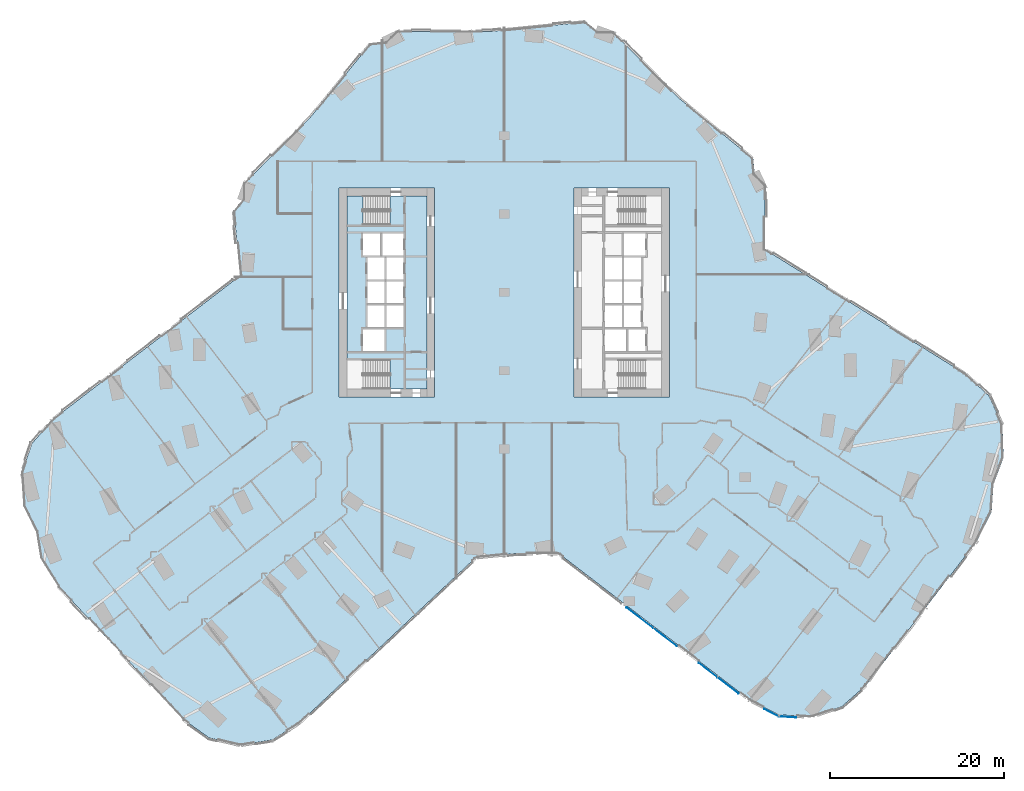
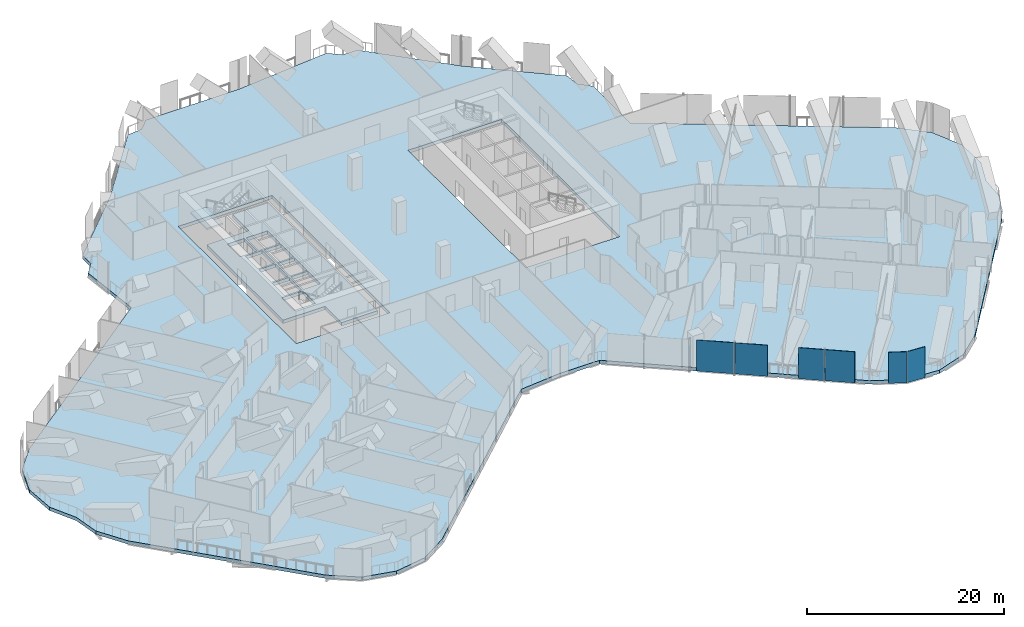
# One storey, part 18 of 32: 6 plates, 3 slabs, 4 elements without a shape of their own.
"""IFC4 building model written with IfcOpenShell, lengths in metres."""

from ifc_helpers import new_model, si_unit, direction, frame, origin, origin_2d, place, context, subcontext, project, spatial, polyline, rectangle, outline, extrude, material, layer, layer_set, type_object, element, aggregate, save


model = new_model("IFC4")

# Units and contexts
model_context = context("Model", 3, precision=1e-05, world=origin(), true_north=direction((0.0, 1.0)))
body_context = subcontext(model_context, "Body", "Model", "MODEL_VIEW")
ifc_project = project(units=[si_unit("LENGTHUNIT", "METRE"), si_unit("AREAUNIT", "SQUARE_METRE"), si_unit("VOLUMEUNIT", "CUBIC_METRE"), si_unit("PLANEANGLEUNIT", "RADIAN"), si_unit("MASSUNIT", "GRAM", prefix="KILO")], contexts=[model_context])

# Site, building, storey
site_placement = place(None, origin())
site = spatial("IfcSite", under=ifc_project, at=site_placement, CompositionType="ELEMENT")
building_placement = place(site_placement, origin())
building = spatial("IfcBuilding", under=site, at=building_placement, Name="Orlundy Tower", CompositionType="ELEMENT")
storey_placement = place(building_placement, frame((0.0, 0.0, 33.300048828125)))
storey = spatial("IfcBuildingStorey", under=building, at=storey_placement, Name="L06", CompositionType="ELEMENT", Elevation=33.300048828125)

# Curtain wall, plate
ifc_material_1 = material(Name="Aluminium bronze anodised", Category="aluminium")
curtain_wall_type = type_object("IfcCurtainWallType", Name="CW5 wall", PredefinedType="NOTDEFINED", material=ifc_material_1)
curtain_wall_1_placement = place(storey_placement, origin())
curtain_wall_1 = element("IfcCurtainWall", 1, at=curtain_wall_1_placement, inside=storey, type_object=curtain_wall_type, Name="CW5 run 026", PredefinedType="NOTDEFINED")
ifc_material_2 = material(Name="Tinted glass", Category="glass")
ifc_layer_1 = layer(ifc_material_2, 0.031982421875)
ifc_layer_set_1 = layer_set([ifc_layer_1], Name="CW5 glass panel 32")
plate_type_1 = type_object("IfcPlateType", Name="CW5 glass panel 32", PredefinedType="CURTAIN_PANEL", material=ifc_layer_set_1)
plate_1_placement = place(storey_placement, frame((30.71728515625, -48.318115234375, -0.2802734375), z_axis=(0.0, 0.0, 1.0), x_axis=(-0.896895794801, 0.442241939743, 0.0)))
plate_1 = element("IfcPlate", 2, at=plate_1_placement, type_object=plate_type_1, Name="CW5 panel", PredefinedType="CURTAIN_PANEL", context=body_context, shape_type="SweptSolid", body=[
    extrude(rectangle(XDim=1.88232421875, YDim=0.031982421875, at=origin_2d()), origin(), (0.0, 0.0, 1.0), 3.860107421875),
])
aggregate(curtain_wall_1, [plate_1])

# Curtain wall, plates
curtain_wall_2_placement = place(storey_placement, origin())
curtain_wall_2 = element("IfcCurtainWall", 3, at=curtain_wall_2_placement, inside=storey, type_object=curtain_wall_type, Name="CW5 run 027", PredefinedType="NOTDEFINED")
plate_2_placement = place(storey_placement, frame((25.721923828125, -45.178466796875, -0.2802734375), z_axis=(0.0, 0.0, 1.0), x_axis=(-0.793356622022, 0.60875715215, 0.0)))
plate_2 = element("IfcPlate", 4, at=plate_2_placement, type_object=plate_type_1, Name="CW5 panel", PredefinedType="CURTAIN_PANEL", context=body_context, shape_type="SweptSolid", body=[
    extrude(rectangle(XDim=3.030029296875, YDim=0.031982421875, at=origin_2d()), origin(), (0.0, 0.0, 1.0), 3.860107421875),
])
plate_3_placement = place(storey_placement, frame((18.50048828125, -39.637451171875, -0.2802734375), z_axis=(0.0, 0.0, 1.0), x_axis=(-0.793356622022, 0.60875715215, 0.0)))
plate_3 = element("IfcPlate", 5, at=plate_3_placement, type_object=plate_type_1, Name="CW5 panel", PredefinedType="CURTAIN_PANEL", context=body_context, shape_type="SweptSolid", body=[
    extrude(rectangle(XDim=3.348388671875, YDim=0.031982421875, at=origin_2d()), origin(), (0.0, 0.0, 1.0), 3.860107421875),
])
plate_4_placement = place(storey_placement, frame((15.59619140625, -37.408935546875, -0.2802734375), z_axis=(0.0, 0.0, 1.0), x_axis=(-0.793356622022, 0.60875715215, 0.0)))
plate_4 = element("IfcPlate", 6, at=plate_4_placement, type_object=plate_type_1, Name="CW5 panel", PredefinedType="CURTAIN_PANEL", context=body_context, shape_type="SweptSolid", body=[
    extrude(rectangle(XDim=3.873046875, YDim=0.031982421875, at=origin_2d()), origin(), (0.0, 0.0, 1.0), 3.860107421875),
])

# Curtain wall, plate
curtain_wall_3_placement = place(storey_placement, origin())
curtain_wall_3 = element("IfcCurtainWall", 7, at=curtain_wall_3_placement, inside=storey, type_object=curtain_wall_type, Name="CW5 run 025", PredefinedType="NOTDEFINED")
ifc_material_3 = material(Name="Tinted glass", Category="glass")
ifc_layer_2 = layer(ifc_material_3, 0.031982421875)
ifc_layer_set_2 = layer_set([ifc_layer_2], Name="CW5 vent panel 32")
plate_type_2 = type_object("IfcPlateType", Name="CW5 vent panel 32", PredefinedType="CURTAIN_PANEL", material=ifc_layer_set_2)
plate_5_placement = place(storey_placement, frame((32.5546875, -48.799560546875, -0.2802734375), z_axis=(0.0, 0.0, 1.0), x_axis=(-0.9978491458, 0.065552133657, 0.0)))
plate_5 = element("IfcPlate", 8, at=plate_5_placement, type_object=plate_type_2, Name="CW5 panel", PredefinedType="CURTAIN_PANEL", context=body_context, shape_type="SweptSolid", body=[
    extrude(rectangle(XDim=1.99072265625, YDim=0.031982421875, at=origin_2d()), origin(), (0.0, 0.0, 1.0), 3.860107421875),
])
aggregate(curtain_wall_3, [plate_5])

# Plate
plate_6_placement = place(storey_placement, frame((23.417236328125, -43.409912109375, -0.2802734375), z_axis=(0.0, 0.0, 1.0), x_axis=(-0.793356622022, 0.60875715215, 0.0)))
plate_6 = element("IfcPlate", 9, at=plate_6_placement, type_object=plate_type_2, Name="CW5 panel", PredefinedType="CURTAIN_PANEL", context=body_context, shape_type="SweptSolid", body=[
    extrude(rectangle(XDim=2.68017578125, YDim=0.031982421875, at=origin_2d()), origin(), (0.0, 0.0, 1.0), 3.860107421875),
])

aggregate(curtain_wall_2, [plate_2, plate_6, plate_3, plate_4])

# Slab
ifc_material_4 = material(Name="Concrete C50/60", Category="concrete")
ifc_layer_3 = layer(ifc_material_4, 0.419921875)
ifc_layer_set_3 = layer_set([ifc_layer_3], Name="Core Floor Slab 420")
slab_type_1 = type_object("IfcSlabType", Name="Core Floor Slab 420", PredefinedType="FLOOR", material=ifc_layer_set_3)
slab_1_placement = place(storey_placement, frame((0.0, 0.0, -0.420166015625)))
element("IfcSlab", 10, at=slab_1_placement, inside=storey, type_object=slab_type_1, Name="Core floor W07", PredefinedType="FLOOR", context=body_context, shape_type="SweptSolid", body=[
    extrude(outline(polyline([(-13.14501953125, 7.75), (-13.14501953125, 11.10009765625), (-8.89990234375, 11.10009765625), (-8.89990234375, -11.10009765625), (-13.14501953125, -11.10009765625), (-13.14501953125, -7.75), (-18.10009765625, -7.75), (-18.10009765625, 7.75), (-13.14501953125, 7.75)]), holes=[polyline([(-16.239990234375, -6.77490234375), (-13.739990234375, -6.77490234375), (-13.739990234375, -4.22509765625), (-16.239990234375, -4.22509765625), (-16.239990234375, -6.77490234375)]), polyline([(-13.5400390625, -1.47509765625), (-13.5400390625, -4.02490234375), (-11.5400390625, -4.02490234375), (-11.5400390625, -1.47509765625), (-13.5400390625, -1.47509765625)]), polyline([(-13.739990234375, -1.47509765625), (-15.739990234375, -1.47509765625), (-15.739990234375, -4.02490234375), (-13.739990234375, -4.02490234375), (-13.739990234375, -1.47509765625)]), polyline([(-11.5400390625, -1.27490234375), (-11.5400390625, 1.27490234375), (-13.5400390625, 1.27490234375), (-13.5400390625, -1.27490234375), (-11.5400390625, -1.27490234375)]), polyline([(-15.739990234375, -1.27490234375), (-13.739990234375, -1.27490234375), (-13.739990234375, 1.27490234375), (-15.739990234375, 1.27490234375), (-15.739990234375, -1.27490234375)]), polyline([(-13.5400390625, 4.02490234375), (-13.5400390625, 1.47509765625), (-11.5400390625, 1.47509765625), (-11.5400390625, 4.02490234375), (-13.5400390625, 4.02490234375)]), polyline([(-13.739990234375, 4.02490234375), (-15.739990234375, 4.02490234375), (-15.739990234375, 1.47509765625), (-13.739990234375, 1.47509765625), (-13.739990234375, 4.02490234375)]), polyline([(-11.5400390625, 4.22509765625), (-11.5400390625, 6.77490234375), (-14.0400390625, 6.77490234375), (-14.0400390625, 4.22509765625), (-11.5400390625, 4.22509765625)]), polyline([(-16.239990234375, 4.22509765625), (-14.239990234375, 4.22509765625), (-14.239990234375, 6.77490234375), (-16.239990234375, 6.77490234375), (-16.239990234375, 4.22509765625)])]), origin(), (0.0, 0.0, 1.0), 0.420166015625),
])

# Stair, slab
ifc_material_5 = material(Name="Concrete C50/60", Category="concrete")
stair_type = type_object("IfcStairType", Name="Exit Stair 24 risers", PredefinedType="HALF_TURN_STAIR", material=ifc_material_5)
stair_placement = place(storey_placement, origin())
stair = element("IfcStair", 11, at=stair_placement, inside=storey, type_object=stair_type, Name="L06 Exit Stair ST-W1", PredefinedType="HALF_TURN_STAIR")
ifc_material_6 = material(Name="Concrete C50/60", Category="concrete")
ifc_layer_4 = layer(ifc_material_6, 0.199951171875)
ifc_layer_set_4 = layer_set([ifc_layer_4], Name="Exit Stair Landing")
slab_type_2 = type_object("IfcSlabType", Name="Exit Stair Landing", PredefinedType="LANDING", material=ifc_layer_set_4)
slab_2_placement = place(storey_placement, frame((0.0, 0.0, 1.800048828125)))
slab_2 = element("IfcSlab", 12, at=slab_2_placement, type_object=slab_type_2, Name="ST-W1 landing 1", PredefinedType="LANDING", context=body_context, shape_type="SweptSolid", body=[
    extrude(outline(polyline([(-16.219970703125, 11.10009765625), (-18.10009765625, 11.10009765625), (-18.10009765625, 7.75), (-16.219970703125, 7.75), (-16.219970703125, 11.10009765625)])), origin(), (0.0, 0.0, 1.0), 0.199951171875),
])
aggregate(stair, [slab_2])

# Slab
ifc_material_7 = material(Name="Concrete C45/55", Category="concrete")
ifc_layer_5 = layer(ifc_material_7, 0.419921875)
ifc_layer_set_5 = layer_set([ifc_layer_5], Name="TRANSFER FLOOR SLAB 420 C45/55")
slab_type_3 = type_object("IfcSlabType", Name="TRANSFER FLOOR SLAB 420 C45/55", PredefinedType="FLOOR", material=ifc_layer_set_5)
slab_3_placement = place(storey_placement, frame((0.0, 0.0, -0.420166015625)))
element("IfcSlab", 13, at=slab_3_placement, inside=storey, type_object=slab_type_3, Name="Floor slab L06", PredefinedType="FLOOR", context=body_context, shape_type="SweptSolid", body=[
    extrude(outline(polyline([(-30.0, 10.720947265625), (-30.0, 12.426025390625), (-22.261962890625, 20.1640625), (-15.327880859375, 28.6259765625), (-13.632080078125, 28.7939453125), (-12.426025390625, 30.0), (-1.48095703125, 30.0), (9.403076171875, 31.080078125), (10.720947265625, 30.0), (12.426025390625, 30.0), (20.1640625, 22.261962890625), (28.6259765625, 15.327880859375), (28.7939453125, 13.632080078125), (30.0, 12.426025390625), (30.0, 4.916015625), (53.028076171875, -9.381103515625), (55.736083984375, -11.9130859375), (57.26806640625, -15.2880859375), (57.39208984375, -18.992919921875), (56.23193359375, -22.0810546875), (56.029052734375, -25.175048828125), (54.389892578125, -28.5), (41.60595703125, -45.159912109375), (38.819091796875, -47.60400390625), (35.30908203125, -48.7958984375), (31.610107421875, -48.552978515625), (28.285888671875, -46.9140625), (6.242919921875, -30.0), (1.486083984375, -30.0), (-3.25, -30.469970703125), (-23.514892578125, -49.47802734375), (-26.662109375, -51.43701171875), (-30.318115234375, -52.0439453125), (-33.928955078125, -51.205078125), (-36.943115234375, -49.048095703125), (-51.31005859375, -33.73095703125), (-53.27001953125, -30.5849609375), (-53.777099609375, -27.52587890625), (-55.236083984375, -24.56689453125), (-55.47802734375, -20.867919921875), (-54.287109375, -17.35791015625), (-51.843017578125, -14.571044921875), (-30.339111328125, 1.929931640625), (-31.080078125, 9.403076171875), (-30.0, 10.720947265625)]), holes=[polyline([(-8.0, -12.0), (-8.0, 12.0), (-19.0, 12.0), (-19.0, -12.0), (-8.0, -12.0)]), polyline([(19.0, -12.0), (19.0, 12.0), (8.0, 12.0), (8.0, -12.0), (19.0, -12.0)])]), origin(), (0.0, 0.0, 1.0), 0.420166015625),
])

save(model, "model.ifc")
